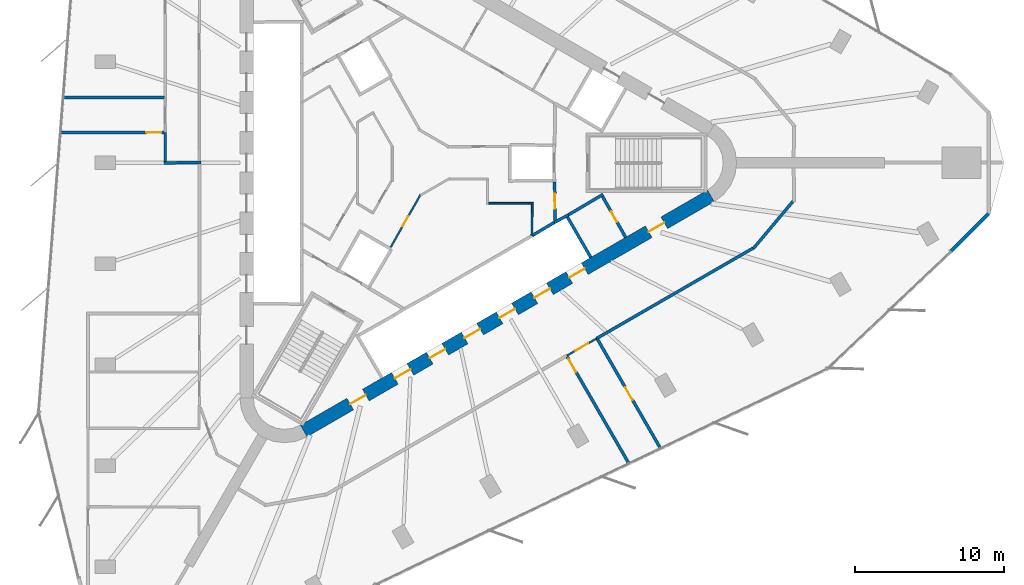
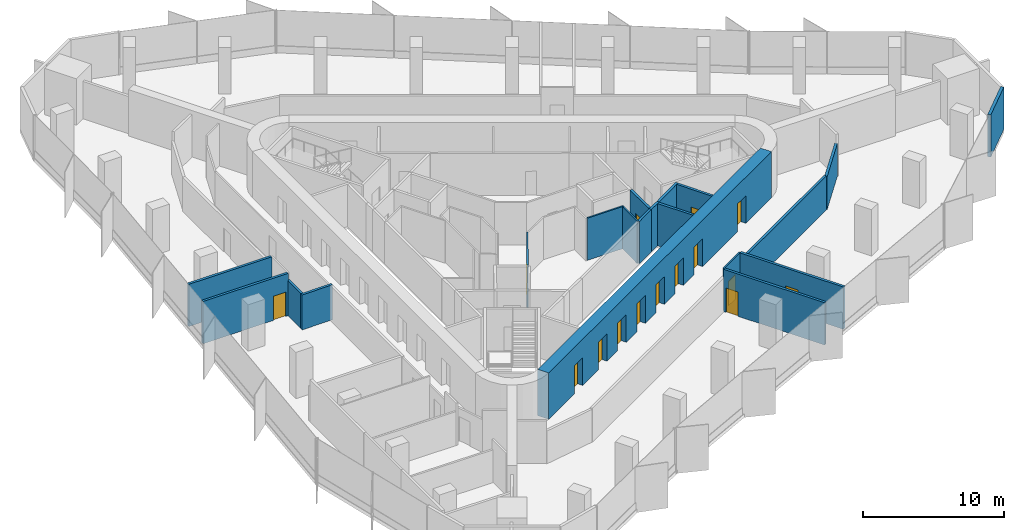
# One storey, part 9 of 13: 20 walls, 15 doors, 15 openings.
"""IFC4 building model written with IfcOpenShell, lengths in metres."""

import ifcopenshell
import ifcopenshell.guid

model = None  # the IFC model being written
_history = None  # IfcOwnerHistory: only IFC2X3 demands one
_inside = {}  # id of a spatial element -> (the spatial element, [elements in it])
_under = {}  # id of a project, library or spatial element -> (it, [spatial elements below it])
_declared = {}  # id of a project -> (the project, [libraries it declares])
_typed = {}  # id of a type object -> (the type object, [elements of that type])
_made_of = {}  # id of a material, layer set ... -> (it, [elements and type objects made of it])


def new_model(schema):
    """Start an empty IFC model of exactly this schema.

    Asked for "IFC4X3", IfcOpenShell would pick the latest addendum, in which some entities
    have other attributes; the version numbers below select the first issue.
    IFC2X3 requires an IfcOwnerHistory on every rooted entity: one is made here for all.
    """
    global model, _history
    if schema == "IFC4X3":
        model = ifcopenshell.file(schema_version=(4, 3, 0, 0))
    else:
        model = ifcopenshell.file(schema=schema)
    _inside.clear()
    _under.clear()
    _declared.clear()
    _typed.clear()
    _made_of.clear()
    _history = None
    if model.schema == "IFC2X3":
        org = make("IfcOrganization", Name="unknown")
        user = make(
            "IfcPersonAndOrganization",
            ThePerson=make("IfcPerson", FamilyName="unknown"),
            TheOrganization=org,
        )
        app = make(
            "IfcApplication",
            ApplicationDeveloper=org,
            Version="unknown",
            ApplicationFullName="unknown",
            ApplicationIdentifier="unknown",
        )
        _history = make(
            "IfcOwnerHistory",
            OwningUser=user,
            OwningApplication=app,
            ChangeAction="ADDED",
            CreationDate=0,
        )
    return model


def make(cls, **values):
    """One entity of the class cls with the attributes given. An attribute that is None is left unset."""
    return model.create_entity(
        cls, **{name: value for name, value in values.items() if value is not None}
    )


def rooted(cls, **values):
    """An entity with a GlobalId (a new one), such as an element, a storey or a relation."""
    return make(cls, GlobalId=ifcopenshell.guid.new(), OwnerHistory=_history, **values)


def si_unit(unit_type, name, prefix=None):
    """IfcSIUnit, for example si_unit("LENGTHUNIT", "METRE", prefix="MILLI")."""
    return make("IfcSIUnit", UnitType=unit_type, Prefix=prefix, Name=name)


def assignment(units):
    """IfcUnitAssignment: the units of a project."""
    return None if units is None else make("IfcUnitAssignment", Units=units)


def point(xyz):
    """IfcCartesianPoint."""
    return None if xyz is None else make("IfcCartesianPoint", Coordinates=xyz)


def direction(xyz):
    """IfcDirection."""
    return None if xyz is None else make("IfcDirection", DirectionRatios=xyz)


def frame(location, z_axis=None, x_axis=None):
    """IfcAxis2Placement3D, a coordinate frame: its origin and axes. An axis left out is left unset."""
    return make(
        "IfcAxis2Placement3D",
        Location=point(location),
        Axis=direction(z_axis),
        RefDirection=direction(x_axis),
    )


def frame_2d(location, x_axis=None):
    """IfcAxis2Placement2D, a coordinate frame in the plane: its origin and x axis."""
    return make(
        "IfcAxis2Placement2D", Location=point(location), RefDirection=direction(x_axis)
    )


def origin():
    """The frame at (0, 0, 0) with its axes left unset."""
    return frame((0.0, 0.0, 0.0))


def place(relative_to, where):
    """IfcLocalPlacement: puts the frame where relative to a parent placement (None: the world)."""
    return make(
        "IfcLocalPlacement", PlacementRelTo=relative_to, RelativePlacement=where
    )


def context(
    kind, dimensions, precision=None, world=None, true_north=None, identifier=None
):
    """IfcGeometricRepresentationContext, for example the 3D "Model" context."""
    return make(
        "IfcGeometricRepresentationContext",
        ContextIdentifier=identifier,
        ContextType=kind,
        CoordinateSpaceDimension=dimensions,
        Precision=precision,
        WorldCoordinateSystem=world,
        TrueNorth=true_north,
    )


def subcontext(parent, identifier, kind, view, scale=None):
    """IfcGeometricRepresentationSubContext, for example "Body" below "Model"."""
    return make(
        "IfcGeometricRepresentationSubContext",
        ContextIdentifier=identifier,
        ContextType=kind,
        ParentContext=parent,
        TargetScale=scale,
        TargetView=view,
    )


def project(units=None, contexts=None):
    """IfcProject with its units and contexts."""
    return rooted(
        "IfcProject",
        Name="project",
        RepresentationContexts=contexts,
        UnitsInContext=assignment(units),
    )


def spatial(cls, under=None, at=None, **own):
    """A site, building, storey or space (cls), placed at a placement, below another one or the project."""
    s = rooted(cls, ObjectPlacement=at, **own)
    if under is not None:
        _under.setdefault(under.id(), (under, []))[1].append(s)
    return s


def profile(cls, at=None, kind="AREA", **sizes):
    """A parametric profile (cls). Its sizes go by their IFC names, for example OverallWidth=200.0."""
    return make(cls, ProfileType=kind, Position=at, **sizes)


def rectangle(**sizes):
    """IfcRectangleProfileDef."""
    return profile("IfcRectangleProfileDef", **sizes)


def extrude(swept, where, along, depth):
    """IfcExtrudedAreaSolid: the profile swept, set in the frame where, extruded along a direction by depth."""
    return make(
        "IfcExtrudedAreaSolid",
        SweptArea=swept,
        Position=where,
        ExtrudedDirection=direction(along),
        Depth=depth,
    )


def shape(context_of_items, identifier, shape_type, items):
    """IfcShapeRepresentation: the items that make up one representation, for example the "Body"."""
    return make(
        "IfcShapeRepresentation",
        ContextOfItems=context_of_items,
        RepresentationIdentifier=identifier,
        RepresentationType=shape_type,
        Items=items,
    )


def material(Name=None, Category=None):
    """IfcMaterial."""
    return make("IfcMaterial", Name=Name, Category=Category)


def layer(
    of_material, thickness, ventilated=None, Name=None, Category=None, Priority=None
):
    """IfcMaterialLayer: one layer of a wall or slab, of a material (None: an air gap)."""
    return make(
        "IfcMaterialLayer",
        Material=of_material,
        LayerThickness=thickness,
        IsVentilated=ventilated,
        Name=Name,
        Category=Category,
        Priority=Priority,
    )


def layer_set(layers, Name=None):
    """IfcMaterialLayerSet."""
    return make("IfcMaterialLayerSet", MaterialLayers=layers, LayerSetName=Name)


def made_of(thing, what):
    """Note that an element or type object is made of a material, layer set ...; save() writes the relation."""
    if what is not None:
        _made_of.setdefault(what.id(), (what, []))[1].append(thing)
    return thing


def type_object(cls, material=None, **own):
    """A type object (cls), such as IfcWallType, which elements share."""
    return made_of(rooted(cls, **own), material)


def element(
    cls,
    number,
    at=None,
    inside=None,
    cuts=None,
    type_object=None,
    material=None,
    context=None,
    identifier="Body",
    shape_type=None,
    held_by="IfcProductDefinitionShape",
    body=None,
    shapes=None,
    **own,
):
    """One element of the class cls, such as IfcWall. Its Tag is "e" and its number.

    at: its placement. inside: the storey or other place that contains it. cuts: it is an
    opening in that element (IfcRelVoidsElement). A single representation is given by context,
    identifier, shape_type and body (its items); several are given by shapes. held_by: the class
    of the entity that holds the representations. save() writes the other relations.
    """
    e = rooted(cls, Tag="e%d" % number, ObjectPlacement=at, **own)
    if body is not None:
        shapes = [shape(context, identifier, shape_type, body)]
    if shapes is not None:
        e.Representation = make(held_by, Representations=shapes)
    if inside is not None:
        _inside.setdefault(inside.id(), (inside, []))[1].append(e)
    if cuts is not None:
        rooted(
            "IfcRelVoidsElement", RelatingBuildingElement=cuts, RelatedOpeningElement=e
        )
    if type_object is not None:
        _typed.setdefault(type_object.id(), (type_object, []))[1].append(e)
    return made_of(e, material)


def fill(opening, filler):
    """IfcRelFillsElement: the door or window that sits in an opening."""
    return rooted(
        "IfcRelFillsElement",
        RelatingOpeningElement=opening,
        RelatedBuildingElement=filler,
    )


def aggregate(whole, parts):
    """IfcRelAggregates: a whole, such as a stair, and the parts it consists of."""
    return rooted("IfcRelAggregates", RelatingObject=whole, RelatedObjects=parts)


def save(model, path):
    """Write the relations noted so far, then the file.

    IfcRelAggregates (storeys below a building ...), IfcRelContainedInSpatialStructure (elements
    in a storey), IfcRelDefinesByType, IfcRelAssociatesMaterial and IfcRelDeclares: one each for
    every whole, place, type object, material and project.
    """
    for whole, parts in _under.values():
        aggregate(whole, parts)
    for where, things in _inside.values():
        rooted(
            "IfcRelContainedInSpatialStructure",
            RelatedElements=things,
            RelatingStructure=where,
        )
    for kind, things in _typed.values():
        rooted("IfcRelDefinesByType", RelatedObjects=things, RelatingType=kind)
    for what, things in _made_of.values():
        rooted("IfcRelAssociatesMaterial", RelatedObjects=things, RelatingMaterial=what)
    for by, libraries in _declared.values():
        rooted("IfcRelDeclares", RelatingContext=by, RelatedDefinitions=libraries)
    model.write(path)


model = new_model("IFC4")

# Units and contexts
model_context = context("Model", 3, precision=1e-05, world=origin(), true_north=direction((0.0, 1.0)))
body_context = subcontext(model_context, "Body", "Model", "MODEL_VIEW")
ifc_project = project(units=[si_unit("LENGTHUNIT", "METRE"), si_unit("AREAUNIT", "SQUARE_METRE"), si_unit("VOLUMEUNIT", "CUBIC_METRE"), si_unit("PLANEANGLEUNIT", "RADIAN"), si_unit("MASSUNIT", "GRAM", prefix="KILO")], contexts=[model_context])

# Site, building, storey
site_placement = place(None, origin())
site = spatial("IfcSite", under=ifc_project, at=site_placement, CompositionType="ELEMENT")
building_placement = place(site_placement, origin())
building = spatial("IfcBuilding", under=site, at=building_placement, Name="Tanit Gate Tower", CompositionType="ELEMENT")
storey_placement = place(building_placement, frame((0.0, 0.0, 273.199951171875)))
storey = spatial("IfcBuildingStorey", under=building, at=storey_placement, Name="L62", CompositionType="ELEMENT", Elevation=273.199951171875)

# Wall, openings, doors
ifc_material_1 = material(Name="Concrete C50/60", Category="concrete")
ifc_layer_1 = layer(ifc_material_1, 0.89990234375)
ifc_layer_set_1 = layer_set([ifc_layer_1], Name="CORE WALL 900 C50/60")
wall_type_1 = type_object("IfcWallType", Name="CORE WALL 900 C50/60", PredefinedType="SHEAR", material=ifc_layer_set_1)
wall_1_placement = place(storey_placement, frame((-7.824951171875, -17.969970703125, 0.0), z_axis=(0.0, 0.0, 1.0), x_axis=(0.866028369851, 0.499994862586, 0.0)))
wall_1 = element("IfcWall", 1, at=wall_1_placement, inside=storey, type_object=wall_type_1, Name="CORE WALL", PredefinedType="SHEAR", context=body_context, shape_type="SweptSolid", body=[
    extrude(rectangle(XDim=31.523193359375, YDim=0.89990234375, at=frame_2d((15.76171875, 0.0))), origin(), (0.0, 0.0, 1.0), 4.0),
])
opening_1_placement = place(wall_1_placement, frame((7.061767578125, 0.0, 0.0)))
opening_1 = element("IfcOpeningElement", 2, at=opening_1_placement, cuts=wall_1, Name="Opening LDSX1-S17", PredefinedType="OPENING", context=body_context, shape_type="SweptSolid", body=[
    extrude(rectangle(XDim=1.199951171875, YDim=2.39990234375, at=frame_2d((0.60009765625, 1.199951171875))), frame((0.0, 0.4599609375, 0.0), z_axis=(0.0, -1.0, 0.0), x_axis=(1.0, 0.0, 0.0)), (0.0, 0.0, 1.0), 0.919921875),
])
opening_2_placement = place(wall_1_placement, frame((9.76171875, 0.0, 0.0)))
opening_2 = element("IfcOpeningElement", 3, at=opening_2_placement, cuts=wall_1, Name="Opening LDSX2-S17", PredefinedType="OPENING", context=body_context, shape_type="SweptSolid", body=[
    extrude(rectangle(XDim=1.199951171875, YDim=2.39990234375, at=frame_2d((0.60009765625, 1.199951171875))), frame((0.0, 0.4599609375, 0.0), z_axis=(0.0, -1.0, 0.0), x_axis=(1.0, 0.0, 0.0)), (0.0, 0.0, 1.0), 0.919921875),
])
opening_3_placement = place(wall_1_placement, frame((12.461669921875, 0.0, 0.0)))
opening_3 = element("IfcOpeningElement", 4, at=opening_3_placement, cuts=wall_1, Name="Opening LDSX3-S17", PredefinedType="OPENING", context=body_context, shape_type="SweptSolid", body=[
    extrude(rectangle(XDim=1.199951171875, YDim=2.39990234375, at=frame_2d((0.60009765625, 1.199951171875))), frame((0.0, 0.4599609375, 0.0), z_axis=(0.0, -1.0, 0.0), x_axis=(1.0, 0.0, 0.0)), (0.0, 0.0, 1.0), 0.919921875),
])
opening_4_placement = place(wall_1_placement, frame((15.16162109375, 0.0, 0.0)))
opening_4 = element("IfcOpeningElement", 5, at=opening_4_placement, cuts=wall_1, Name="Opening LDSX4-S17", PredefinedType="OPENING", context=body_context, shape_type="SweptSolid", body=[
    extrude(rectangle(XDim=1.199951171875, YDim=2.39990234375, at=frame_2d((0.60009765625, 1.199951171875))), frame((0.0, 0.4599609375, 0.0), z_axis=(0.0, -1.0, 0.0), x_axis=(1.0, 0.0, 0.0)), (0.0, 0.0, 1.0), 0.919921875),
])
opening_5_placement = place(wall_1_placement, frame((17.861572265625, 0.0, 0.0)))
opening_5 = element("IfcOpeningElement", 6, at=opening_5_placement, cuts=wall_1, Name="Opening LDSV1-S17", PredefinedType="OPENING", context=body_context, shape_type="SweptSolid", body=[
    extrude(rectangle(XDim=1.199951171875, YDim=2.39990234375, at=frame_2d((0.60009765625, 1.199951171875))), frame((0.0, 0.4599609375, 0.0), z_axis=(0.0, -1.0, 0.0), x_axis=(1.0, 0.0, 0.0)), (0.0, 0.0, 1.0), 0.919921875),
])
opening_6_placement = place(wall_1_placement, frame((20.561767578125, 0.0, 0.0)))
opening_6 = element("IfcOpeningElement", 7, at=opening_6_placement, cuts=wall_1, Name="Opening LDSV2-S17", PredefinedType="OPENING", context=body_context, shape_type="SweptSolid", body=[
    extrude(rectangle(XDim=1.199951171875, YDim=2.39990234375, at=frame_2d((0.60009765625, 1.199951171875))), frame((0.0, 0.4599609375, 0.0), z_axis=(0.0, -1.0, 0.0), x_axis=(1.0, 0.0, 0.0)), (0.0, 0.0, 1.0), 0.919921875),
])
opening_7_placement = place(wall_1_placement, frame((26.711669921875, 0.0, 0.0)))
opening_7 = element("IfcOpeningElement", 8, at=opening_7_placement, cuts=wall_1, Name="Opening F12-S17-S1", PredefinedType="OPENING", context=body_context, shape_type="SweptSolid", body=[
    extrude(rectangle(XDim=1.199951171875, YDim=2.39990234375, at=frame_2d((0.60009765625, 1.199951171875))), frame((0.0, 0.4599609375, 0.0), z_axis=(0.0, -1.0, 0.0), x_axis=(1.0, 0.0, 0.0)), (0.0, 0.0, 1.0), 0.919921875),
])
opening_8_placement = place(wall_1_placement, frame((3.611572265625, 0.0, 0.0)))
opening_8 = element("IfcOpeningElement", 9, at=opening_8_placement, cuts=wall_1, Name="Opening F12-S17-FL3", PredefinedType="OPENING", context=body_context, shape_type="SweptSolid", body=[
    extrude(rectangle(XDim=1.199951171875, YDim=2.39990234375, at=frame_2d((0.60009765625, 1.199951171875))), frame((0.0, 0.4599609375, 0.0), z_axis=(0.0, -1.0, 0.0), x_axis=(1.0, 0.0, 0.0)), (0.0, 0.0, 1.0), 0.919921875),
])
ifc_material_2 = material(Name="Fire-rated steel door leaf", Category="steel")
door_type_1 = type_object("IfcDoorType", Name="INT-DOOR-FIRE-LOBBY-1200", OperationType="NOTDEFINED", PredefinedType="USERDEFINED", material=ifc_material_2)
door_1_placement = place(opening_7_placement, origin())
door_1 = element("IfcDoor", 10, at=door_1_placement, inside=storey, type_object=door_type_1, Name="Door F12-S17-S1", ObjectType="FIRE DOOR", OperationType="SINGLE_SWING_RIGHT", OverallHeight=2.39990234375, OverallWidth=1.199951171875, PredefinedType="USERDEFINED", context=body_context, shape_type="SweptSolid", body=[
    extrude(rectangle(XDim=1.199951171875, YDim=2.39990234375, at=frame_2d((0.60009765625, 1.199951171875))), frame((0.0, 0.02490234375, 0.0), z_axis=(0.0, -1.0, 0.0), x_axis=(1.0, 0.0, 0.0)), (0.0, 0.0, 1.0), 0.050048828125),
])
fill(opening_7, door_1)
door_2_placement = place(opening_8_placement, origin())
door_2 = element("IfcDoor", 11, at=door_2_placement, inside=storey, type_object=door_type_1, Name="Door F12-S17-FL3", ObjectType="FIRE DOOR", OperationType="SINGLE_SWING_LEFT", OverallHeight=2.39990234375, OverallWidth=1.199951171875, PredefinedType="USERDEFINED", context=body_context, shape_type="SweptSolid", body=[
    extrude(rectangle(XDim=1.199951171875, YDim=2.39990234375, at=frame_2d((0.60009765625, 1.199951171875))), frame((0.0, 0.02490234375, 0.0), z_axis=(0.0, -1.0, 0.0), x_axis=(1.0, 0.0, 0.0)), (0.0, 0.0, 1.0), 0.050048828125),
])
fill(opening_8, door_2)
ifc_material_3 = material(Name="Stainless steel sliding door leaf", Category="steel")
door_type_2 = type_object("IfcDoorType", Name="INT-DOOR-LANDING-1200", OperationType="NOTDEFINED", PredefinedType="USERDEFINED", material=ifc_material_3)
door_3_placement = place(opening_1_placement, origin())
door_3 = element("IfcDoor", 12, at=door_3_placement, inside=storey, type_object=door_type_2, Name="Door LDSX1-S17", ObjectType="LANDING DOOR", OperationType="SLIDING_TO_LEFT", OverallHeight=2.39990234375, OverallWidth=1.199951171875, PredefinedType="USERDEFINED", context=body_context, shape_type="SweptSolid", body=[
    extrude(rectangle(XDim=1.199951171875, YDim=2.39990234375, at=frame_2d((0.60009765625, 1.199951171875))), frame((0.0, 0.02490234375, 0.0), z_axis=(0.0, -1.0, 0.0), x_axis=(1.0, 0.0, 0.0)), (0.0, 0.0, 1.0), 0.050048828125),
])
fill(opening_1, door_3)
door_4_placement = place(opening_2_placement, origin())
door_4 = element("IfcDoor", 13, at=door_4_placement, inside=storey, type_object=door_type_2, Name="Door LDSX2-S17", ObjectType="LANDING DOOR", OperationType="SLIDING_TO_LEFT", OverallHeight=2.39990234375, OverallWidth=1.199951171875, PredefinedType="USERDEFINED", context=body_context, shape_type="SweptSolid", body=[
    extrude(rectangle(XDim=1.199951171875, YDim=2.39990234375, at=frame_2d((0.60009765625, 1.199951171875))), frame((0.0, 0.02490234375, 0.0), z_axis=(0.0, -1.0, 0.0), x_axis=(1.0, 0.0, 0.0)), (0.0, 0.0, 1.0), 0.050048828125),
])
fill(opening_2, door_4)
door_5_placement = place(opening_3_placement, origin())
door_5 = element("IfcDoor", 14, at=door_5_placement, inside=storey, type_object=door_type_2, Name="Door LDSX3-S17", ObjectType="LANDING DOOR", OperationType="SLIDING_TO_LEFT", OverallHeight=2.39990234375, OverallWidth=1.199951171875, PredefinedType="USERDEFINED", context=body_context, shape_type="SweptSolid", body=[
    extrude(rectangle(XDim=1.199951171875, YDim=2.39990234375, at=frame_2d((0.60009765625, 1.199951171875))), frame((0.0, 0.02490234375, 0.0), z_axis=(0.0, -1.0, 0.0), x_axis=(1.0, 0.0, 0.0)), (0.0, 0.0, 1.0), 0.050048828125),
])
fill(opening_3, door_5)
door_6_placement = place(opening_4_placement, origin())
door_6 = element("IfcDoor", 15, at=door_6_placement, inside=storey, type_object=door_type_2, Name="Door LDSX4-S17", ObjectType="LANDING DOOR", OperationType="SLIDING_TO_LEFT", OverallHeight=2.39990234375, OverallWidth=1.199951171875, PredefinedType="USERDEFINED", context=body_context, shape_type="SweptSolid", body=[
    extrude(rectangle(XDim=1.199951171875, YDim=2.39990234375, at=frame_2d((0.60009765625, 1.199951171875))), frame((0.0, 0.02490234375, 0.0), z_axis=(0.0, -1.0, 0.0), x_axis=(1.0, 0.0, 0.0)), (0.0, 0.0, 1.0), 0.050048828125),
])
fill(opening_4, door_6)
door_7_placement = place(opening_5_placement, origin())
door_7 = element("IfcDoor", 16, at=door_7_placement, inside=storey, type_object=door_type_2, Name="Door LDSV1-S17", ObjectType="LANDING DOOR", OperationType="SLIDING_TO_LEFT", OverallHeight=2.39990234375, OverallWidth=1.199951171875, PredefinedType="USERDEFINED", context=body_context, shape_type="SweptSolid", body=[
    extrude(rectangle(XDim=1.199951171875, YDim=2.39990234375, at=frame_2d((0.60009765625, 1.199951171875))), frame((0.0, 0.02490234375, 0.0), z_axis=(0.0, -1.0, 0.0), x_axis=(1.0, 0.0, 0.0)), (0.0, 0.0, 1.0), 0.050048828125),
])
fill(opening_5, door_7)
door_8_placement = place(opening_6_placement, origin())
door_8 = element("IfcDoor", 17, at=door_8_placement, inside=storey, type_object=door_type_2, Name="Door LDSV2-S17", ObjectType="LANDING DOOR", OperationType="SLIDING_TO_LEFT", OverallHeight=2.39990234375, OverallWidth=1.199951171875, PredefinedType="USERDEFINED", context=body_context, shape_type="SweptSolid", body=[
    extrude(rectangle(XDim=1.199951171875, YDim=2.39990234375, at=frame_2d((0.60009765625, 1.199951171875))), frame((0.0, 0.02490234375, 0.0), z_axis=(0.0, -1.0, 0.0), x_axis=(1.0, 0.0, 0.0)), (0.0, 0.0, 1.0), 0.050048828125),
])
fill(opening_6, door_8)

# Walls
ifc_material_4 = material(Name="Concrete C30/37 with bronze anodised aluminium cladding", Category="concrete")
ifc_layer_2 = layer(ifc_material_4, 0.239990234375)
ifc_layer_set_2 = layer_set([ifc_layer_2], Name="Facade wall bronze clad 240")
wall_type_2 = type_object("IfcWallType", Name="Facade wall bronze clad 240", PredefinedType="SOLIDWALL", material=ifc_layer_set_2)
wall_2_placement = place(storey_placement, frame((35.5751953125, -5.9091796875, 0.0), z_axis=(0.0, 0.0, 1.0), x_axis=(0.707106781187, 0.707106781187, 0.0)))
element("IfcWall", 18, at=wall_2_placement, inside=storey, type_object=wall_type_2, Name="Bronze-clad facade wall L62 E.arc1", PredefinedType="SOLIDWALL", context=body_context, shape_type="SweptSolid", body=[
    extrude(rectangle(XDim=3.5498046875, YDim=0.239990234375, at=frame_2d((1.77490234375, 0.0))), origin(), (0.0, 0.0, 1.0), 3.650146484375),
])
ifc_material_5 = material(Name="Fire-rated gypsum board partition")
ifc_layer_3 = layer(ifc_material_5, 0.199951171875)
ifc_layer_set_3 = layer_set([ifc_layer_3], Name="INT-WALL-COMPARTMENT")
wall_type_3 = type_object("IfcWallType", Name="INT-WALL-COMPARTMENT", PredefinedType="PARTITIONING", material=ifc_layer_set_3)
wall_3_placement = place(storey_placement, frame((12.244873046875, -2.10888671875, 0.0), z_axis=(0.0, 0.0, 1.0), x_axis=(-0.860414880418, -0.509594185166, 0.0)))
element("IfcWall", 19, at=wall_3_placement, inside=storey, type_object=wall_type_3, Name="Wall Compartment W057", PredefinedType="PARTITIONING", context=body_context, shape_type="SweptSolid", body=[
    extrude(rectangle(XDim=2.7001953125, YDim=0.199951171875, at=frame_2d((1.35009765625, 0.0))), origin(), (0.0, 0.0, 1.0), 3.650146484375),
])

# Wall, opening, door
wall_4_placement = place(storey_placement, frame((13.758056640625, -4.989501953125, 0.0), z_axis=(0.0, 0.0, 1.0), x_axis=(-0.491993409184, 0.87059892334, 0.0)))
wall_4 = element("IfcWall", 20, at=wall_4_placement, inside=storey, type_object=wall_type_3, Name="Wall Compartment W058", PredefinedType="PARTITIONING", context=body_context, shape_type="SweptSolid", body=[
    extrude(rectangle(XDim=3.150146484375, YDim=0.199951171875, at=frame_2d((1.5751953125, 0.0))), origin(), (0.0, 0.0, 1.0), 3.650146484375),
])
opening_9_placement = place(wall_4_placement, frame((1.175048828125, 0.0, 0.0)))
opening_9 = element("IfcOpeningElement", 21, at=opening_9_placement, cuts=wall_4, Name="Opening R08-S17-17", PredefinedType="OPENING", context=body_context, shape_type="SweptSolid", body=[
    extrude(rectangle(XDim=0.800048828125, YDim=2.10009765625, at=frame_2d((0.39990234375, 1.050048828125))), frame((0.0, 0.10986328125, 0.0), z_axis=(0.0, -1.0, 0.0), x_axis=(1.0, 0.0, 0.0)), (0.0, 0.0, 1.0), 0.219970703125),
])
ifc_material_6 = material(Name="Timber door leaf", Category="wood")
door_type_3 = type_object("IfcDoorType", Name="INT-DOOR-RISER-800", OperationType="NOTDEFINED", PredefinedType="USERDEFINED", material=ifc_material_6)
door_9_placement = place(opening_9_placement, origin())
door_9 = element("IfcDoor", 22, at=door_9_placement, inside=storey, type_object=door_type_3, Name="Door R08-S17-17", ObjectType="FIRE DOOR", OperationType="SINGLE_SWING_LEFT", OverallHeight=2.10009765625, OverallWidth=0.800048828125, PredefinedType="USERDEFINED", context=body_context, shape_type="SweptSolid", body=[
    extrude(rectangle(XDim=0.800048828125, YDim=2.10009765625, at=frame_2d((0.39990234375, 1.050048828125))), frame((0.0, 0.02490234375, 0.0), z_axis=(0.0, -1.0, 0.0), x_axis=(1.0, 0.0, 0.0)), (0.0, 0.0, 1.0), 0.050048828125),
])
fill(opening_9, door_9)

wall_5_placement = place(storey_placement, frame((9.02880859375, -3.850830078125, 0.0), z_axis=(0.0, 0.0, 1.0), x_axis=(-0.010783593937, 0.99994185536, 0.0)))
wall_5 = element("IfcWall", 23, at=wall_5_placement, inside=storey, type_object=wall_type_3, Name="Wall Compartment W060", PredefinedType="PARTITIONING", context=body_context, shape_type="SweptSolid", body=[
    extrude(rectangle(XDim=2.5810546875, YDim=0.199951171875, at=frame_2d((1.29052734375, 0.0))), origin(), (0.0, 0.0, 1.0), 3.650146484375),
])
opening_10_placement = place(wall_5_placement, frame((0.79052734375, 0.0, 0.0)))
opening_10 = element("IfcOpeningElement", 24, at=opening_10_placement, cuts=wall_5, Name="Opening F10-S17-02", PredefinedType="OPENING", context=body_context, shape_type="SweptSolid", body=[
    extrude(rectangle(XDim=1.0, YDim=2.10009765625, at=frame_2d((0.5, 1.050048828125))), frame((0.0, 0.10986328125, 0.0), z_axis=(0.0, -1.0, 0.0), x_axis=(1.0, 0.0, 0.0)), (0.0, 0.0, 1.0), 0.219970703125),
])
ifc_material_7 = material(Name="Fire-rated steel door leaf", Category="steel")
door_type_4 = type_object("IfcDoorType", Name="INT-DOOR-FIRE-1000", OperationType="NOTDEFINED", PredefinedType="USERDEFINED", material=ifc_material_7)
door_10_placement = place(opening_10_placement, origin())
door_10 = element("IfcDoor", 25, at=door_10_placement, inside=storey, type_object=door_type_4, Name="Door F10-S17-02", ObjectType="FIRE DOOR", OperationType="SINGLE_SWING_RIGHT", OverallHeight=2.10009765625, OverallWidth=1.0, PredefinedType="USERDEFINED", context=body_context, shape_type="SweptSolid", body=[
    extrude(rectangle(XDim=1.0, YDim=2.10009765625, at=frame_2d((0.5, 1.050048828125))), frame((0.0, 0.02490234375, 0.0), z_axis=(0.0, -1.0, 0.0), x_axis=(1.0, 0.0, 0.0)), (0.0, 0.0, 1.0), 0.050048828125),
])
fill(opening_10, door_10)

# Walls
wall_6_placement = place(storey_placement, frame((-17.199951171875, -0.001220703125, 0.0), z_axis=(0.0, 0.0, 1.0), x_axis=(0.999915662945, 0.012987185857, 0.0)))
element("IfcWall", 26, at=wall_6_placement, inside=storey, type_object=wall_type_3, Name="Wall Compartment W088", PredefinedType="PARTITIONING", context=body_context, shape_type="SweptSolid", body=[
    extrude(rectangle(XDim=2.500244140625, YDim=0.199951171875, at=frame_2d((1.25, 0.0))), origin(), (0.0, 0.0, 1.0), 3.02001953125),
])
wall_7_placement = place(storey_placement, frame((-17.10009765625, 2.050048828125, 0.0), z_axis=(0.0, 0.0, 1.0), x_axis=(0.0, -1.0, 0.0)))
element("IfcWall", 27, at=wall_7_placement, inside=storey, type_object=wall_type_3, Name="Wall Compartment W089", PredefinedType="PARTITIONING", context=body_context, shape_type="SweptSolid", body=[
    extrude(rectangle(XDim=1.949951171875, YDim=0.199951171875, at=frame_2d((0.97509765625, 0.0))), origin(), (0.0, 0.0, 1.0), 3.02001953125),
])
wall_8_placement = place(storey_placement, frame((22.315185546875, -5.746337890625, 0.0), z_axis=(0.0, 0.0, 1.0), x_axis=(0.642828004621, 0.76601054593, 0.0)))
element("IfcWall", 28, at=wall_8_placement, inside=storey, type_object=wall_type_3, Name="Wall Compartment W107", PredefinedType="PARTITIONING", context=body_context, shape_type="SweptSolid", body=[
    extrude(rectangle(XDim=4.19970703125, YDim=0.199951171875, at=frame_2d((2.099853515625, 0.0))), origin(), (0.0, 0.0, 1.0), 2.830078125),
])
wall_9_placement = place(storey_placement, frame((11.817138671875, -11.76806640625, 0.0), z_axis=(0.0, 0.0, 1.0), x_axis=(0.866029971876, 0.49999208775, 0.0)))
element("IfcWall", 29, at=wall_9_placement, inside=storey, type_object=wall_type_3, Name="Wall Compartment W108", PredefinedType="PARTITIONING", context=body_context, shape_type="SweptSolid", body=[
    extrude(rectangle(XDim=12.096435546875, YDim=0.199951171875, at=frame_2d((6.04833984375, 0.0))), origin(), (0.0, 0.0, 1.0), 2.929931640625),
])

# Wall, opening, door
wall_10_placement = place(storey_placement, frame((-24.117919921875, 2.030029296875, 0.0), z_axis=(0.0, 0.0, 1.0), x_axis=(1.0, 0.0, 0.0)))
wall_10 = element("IfcWall", 30, at=wall_10_placement, inside=storey, type_object=wall_type_3, Name="Wall Compartment W112", PredefinedType="PARTITIONING", context=body_context, shape_type="SweptSolid", body=[
    extrude(rectangle(XDim=6.9580078125, YDim=0.199951171875, at=frame_2d((3.47900390625, 0.0))), origin(), (0.0, 0.0, 1.0), 3.650146484375),
])
opening_11_placement = place(wall_10_placement, frame((5.7578125, 0.0, 0.0)))
opening_11 = element("IfcOpeningElement", 31, at=opening_11_placement, cuts=wall_10, Name="Opening F10-S17-27", PredefinedType="OPENING", context=body_context, shape_type="SweptSolid", body=[
    extrude(rectangle(XDim=1.0, YDim=2.10009765625, at=frame_2d((0.5, 1.050048828125))), frame((0.0, 0.10986328125, 0.0), z_axis=(0.0, -1.0, 0.0), x_axis=(1.0, 0.0, 0.0)), (0.0, 0.0, 1.0), 0.219970703125),
])
door_11_placement = place(opening_11_placement, origin())
door_11 = element("IfcDoor", 32, at=door_11_placement, inside=storey, type_object=door_type_4, Name="Door F10-S17-27", ObjectType="FIRE DOOR", OperationType="SINGLE_SWING_LEFT", OverallHeight=2.10009765625, OverallWidth=1.0, PredefinedType="USERDEFINED", context=body_context, shape_type="SweptSolid", body=[
    extrude(rectangle(XDim=1.0, YDim=2.10009765625, at=frame_2d((0.5, 1.050048828125))), frame((0.0, 0.02490234375, 0.0), z_axis=(0.0, -1.0, 0.0), x_axis=(1.0, 0.0, 0.0)), (0.0, 0.0, 1.0), 0.050048828125),
])
fill(opening_11, door_11)

# Wall
wall_11_placement = place(storey_placement, frame((-17.159912109375, 4.3701171875, 0.0), z_axis=(0.0, 0.0, 1.0), x_axis=(-1.0, 0.0, 0.0)))
element("IfcWall", 33, at=wall_11_placement, inside=storey, type_object=wall_type_3, Name="Wall Compartment W113", PredefinedType="PARTITIONING", context=body_context, shape_type="SweptSolid", body=[
    extrude(rectangle(XDim=6.775634765625, YDim=0.199951171875, at=frame_2d((3.3876953125, 0.0))), origin(), (0.0, 0.0, 1.0), 3.650146484375),
])

# Wall, opening, door
wall_12_placement = place(storey_placement, frame((16.0927734375, -19.133544921875, 0.0), z_axis=(0.0, 0.0, 1.0), x_axis=(-0.500004849665, 0.866022603811, 0.0)))
wall_12 = element("IfcWall", 34, at=wall_12_placement, inside=storey, type_object=wall_type_3, Name="Wall Compartment W128", PredefinedType="PARTITIONING", context=body_context, shape_type="SweptSolid", body=[
    extrude(rectangle(XDim=8.45654296875, YDim=0.199951171875, at=frame_2d((4.228271484375, 0.0))), origin(), (0.0, 0.0, 1.0), 3.650146484375),
])
opening_12_placement = place(wall_12_placement, frame((3.728271484375, 0.0, 0.0)))
opening_12 = element("IfcOpeningElement", 35, at=opening_12_placement, cuts=wall_12, Name="Opening F10-S17-31", PredefinedType="OPENING", context=body_context, shape_type="SweptSolid", body=[
    extrude(rectangle(XDim=1.0, YDim=2.10009765625, at=frame_2d((0.5, 1.050048828125))), frame((0.0, 0.10986328125, 0.0), z_axis=(0.0, -1.0, 0.0), x_axis=(1.0, 0.0, 0.0)), (0.0, 0.0, 1.0), 0.219970703125),
])
door_12_placement = place(opening_12_placement, origin())
door_12 = element("IfcDoor", 36, at=door_12_placement, inside=storey, type_object=door_type_4, Name="Door F10-S17-31", ObjectType="FIRE DOOR", OperationType="SINGLE_SWING_LEFT", OverallHeight=2.10009765625, OverallWidth=1.0, PredefinedType="USERDEFINED", context=body_context, shape_type="SweptSolid", body=[
    extrude(rectangle(XDim=1.0, YDim=2.10009765625, at=frame_2d((0.5, 1.050048828125))), frame((0.0, 0.02490234375, 0.0), z_axis=(0.0, -1.0, 0.0), x_axis=(1.0, 0.0, 0.0)), (0.0, 0.0, 1.0), 0.050048828125),
])
fill(opening_12, door_12)

wall_13_placement = place(storey_placement, frame((9.838134765625, -12.97998046875, 0.0), z_axis=(0.0, 0.0, 1.0), x_axis=(0.499982124662, -0.866035723869, 0.0)))
wall_13 = element("IfcWall", 37, at=wall_13_placement, inside=storey, type_object=wall_type_3, Name="Wall Compartment W129", PredefinedType="PARTITIONING", context=body_context, shape_type="SweptSolid", body=[
    extrude(rectangle(XDim=8.274169921875, YDim=0.199951171875, at=frame_2d((4.13720703125, 0.0))), origin(), (0.0, 0.0, 1.0), 3.650146484375),
])
opening_13_placement = place(wall_13_placement, frame((0.199951171875, 0.0, 0.0)))
opening_13 = element("IfcOpeningElement", 38, at=opening_13_placement, cuts=wall_13, Name="Opening F10-S17-32", PredefinedType="OPENING", context=body_context, shape_type="SweptSolid", body=[
    extrude(rectangle(XDim=1.0, YDim=2.10009765625, at=frame_2d((0.5, 1.050048828125))), frame((0.0, 0.10986328125, 0.0), z_axis=(0.0, -1.0, 0.0), x_axis=(1.0, 0.0, 0.0)), (0.0, 0.0, 1.0), 0.219970703125),
])
door_13_placement = place(opening_13_placement, origin())
door_13 = element("IfcDoor", 39, at=door_13_placement, inside=storey, type_object=door_type_4, Name="Door F10-S17-32", ObjectType="FIRE DOOR", OperationType="SINGLE_SWING_RIGHT", OverallHeight=2.10009765625, OverallWidth=1.0, PredefinedType="USERDEFINED", context=body_context, shape_type="SweptSolid", body=[
    extrude(rectangle(XDim=1.0, YDim=2.10009765625, at=frame_2d((0.5, 1.050048828125))), frame((0.0, 0.02490234375, 0.0), z_axis=(0.0, -1.0, 0.0), x_axis=(1.0, 0.0, 0.0)), (0.0, 0.0, 1.0), 0.050048828125),
])
fill(opening_13, door_13)

ifc_material_8 = material(Name="Gypsum board partition")
ifc_layer_4 = layer(ifc_material_8, 0.1201171875)
ifc_layer_set_4 = layer_set([ifc_layer_4], Name="INT-WALL-PARTITION")
wall_type_4 = type_object("IfcWallType", Name="INT-WALL-PARTITION", PredefinedType="PARTITIONING", material=ifc_layer_set_4)
wall_14_placement = place(storey_placement, frame((0.02880859375, -2.0986328125, 0.0), z_axis=(0.0, 0.0, 1.0), x_axis=(-0.49376265119, -0.869596713592, 0.0)))
wall_14 = element("IfcWall", 40, at=wall_14_placement, inside=storey, type_object=wall_type_4, Name="Wall Partition W068", PredefinedType="PARTITIONING", context=body_context, shape_type="SweptSolid", body=[
    extrude(rectangle(XDim=4.096923828125, YDim=0.1201171875, at=frame_2d((2.04833984375, 0.0))), origin(), (0.0, 0.0, 1.0), 3.650146484375),
])
opening_14_placement = place(wall_14_placement, frame((1.69970703125, 0.0, 0.0)))
opening_14 = element("IfcOpeningElement", 41, at=opening_14_placement, cuts=wall_14, Name="Opening R08-S17-11", PredefinedType="OPENING", context=body_context, shape_type="SweptSolid", body=[
    extrude(rectangle(XDim=0.800048828125, YDim=2.10009765625, at=frame_2d((0.39990234375, 1.050048828125))), frame((0.0, 0.070068359375, 0.0), z_axis=(0.0, -1.0, 0.0), x_axis=(1.0, 0.0, 0.0)), (0.0, 0.0, 1.0), 0.14013671875),
])
door_14_placement = place(opening_14_placement, origin())
door_14 = element("IfcDoor", 42, at=door_14_placement, inside=storey, type_object=door_type_3, Name="Door R08-S17-11", ObjectType="FIRE DOOR", OperationType="SINGLE_SWING_LEFT", OverallHeight=2.10009765625, OverallWidth=0.800048828125, PredefinedType="USERDEFINED", context=body_context, shape_type="SweptSolid", body=[
    extrude(rectangle(XDim=0.800048828125, YDim=2.10009765625, at=frame_2d((0.39990234375, 1.050048828125))), frame((0.0, 0.02490234375, 0.0), z_axis=(0.0, -1.0, 0.0), x_axis=(1.0, 0.0, 0.0)), (0.0, 0.0, 1.0), 0.050048828125),
])
fill(opening_14, door_14)

# Walls
wall_15_placement = place(storey_placement, frame((7.56005859375, -2.699951171875, 0.0), z_axis=(0.0, 0.0, 1.0), x_axis=(-1.0, 0.0, 0.0)))
element("IfcWall", 43, at=wall_15_placement, inside=storey, type_object=wall_type_4, Name="Wall Partition W072", PredefinedType="PARTITIONING", context=body_context, shape_type="SweptSolid", body=[
    extrude(rectangle(XDim=3.0, YDim=0.1201171875, at=frame_2d((1.5, 0.0))), origin(), (0.0, 0.0, 1.0), 3.650146484375),
])
wall_16_placement = place(storey_placement, frame((7.474609375, -4.864501953125, 0.0), z_axis=(0.0, 0.0, 1.0), x_axis=(0.011716133148, 0.999931363757, 0.0)))
element("IfcWall", 44, at=wall_16_placement, inside=storey, type_object=wall_type_4, Name="Wall Partition W073", PredefinedType="PARTITIONING", context=body_context, shape_type="SweptSolid", body=[
    extrude(rectangle(XDim=2.104736328125, YDim=0.1201171875, at=frame_2d((1.05224609375, 0.0))), origin(), (0.0, 0.0, 1.0), 3.650146484375),
])

# Wall, opening, door
wall_17_placement = place(storey_placement, frame((9.825439453125, -12.91796875, 0.0), z_axis=(0.0, 0.0, 1.0), x_axis=(0.86602648383, 0.499998129301, 0.0)))
wall_17 = element("IfcWall", 45, at=wall_17_placement, inside=storey, type_object=wall_type_4, Name="Wall Partition W105", PredefinedType="PARTITIONING", context=body_context, shape_type="SweptSolid", body=[
    extrude(rectangle(XDim=2.2998046875, YDim=0.1201171875, at=frame_2d((1.14990234375, 0.0))), origin(), (0.0, 0.0, 1.0), 3.650146484375),
])
opening_15_placement = place(wall_17_placement, frame((0.64990234375, 0.0, 0.0)))
opening_15 = element("IfcOpeningElement", 46, at=opening_15_placement, cuts=wall_17, Name="Opening D10-S17-22", PredefinedType="OPENING", context=body_context, shape_type="SweptSolid", body=[
    extrude(rectangle(XDim=1.0, YDim=2.10009765625, at=frame_2d((0.5, 1.050048828125))), frame((0.0, 0.070068359375, 0.0), z_axis=(0.0, -1.0, 0.0), x_axis=(1.0, 0.0, 0.0)), (0.0, 0.0, 1.0), 0.14013671875),
])
ifc_material_9 = material(Name="Timber door leaf", Category="wood")
door_type_5 = type_object("IfcDoorType", Name="INT-DOOR-SINGLE-1000", OperationType="NOTDEFINED", PredefinedType="NOTDEFINED", material=ifc_material_9)
door_15_placement = place(opening_15_placement, origin())
door_15 = element("IfcDoor", 47, at=door_15_placement, inside=storey, type_object=door_type_5, Name="Door D10-S17-22", OperationType="SINGLE_SWING_RIGHT", OverallHeight=2.10009765625, OverallWidth=1.0, PredefinedType="NOTDEFINED", context=body_context, shape_type="SweptSolid", body=[
    extrude(rectangle(XDim=1.0, YDim=2.10009765625, at=frame_2d((0.5, 1.050048828125))), frame((0.0, 0.02490234375, 0.0), z_axis=(0.0, -1.0, 0.0), x_axis=(1.0, 0.0, 0.0)), (0.0, 0.0, 1.0), 0.050048828125),
])
fill(opening_15, door_15)

# Walls
ifc_material_10 = material(Name="Gypsum shaft wall system")
ifc_layer_5 = layer(ifc_material_10, 0.199951171875)
ifc_layer_set_5 = layer_set([ifc_layer_5], Name="INT-WALL-SHAFT")
wall_type_5 = type_object("IfcWallType", Name="INT-WALL-SHAFT", PredefinedType="PLUMBINGWALL", material=ifc_layer_set_5)
wall_18_placement = place(storey_placement, frame((9.794677734375, -3.52490234375, 0.0), z_axis=(0.0, 0.0, 1.0), x_axis=(0.499984717929, -0.866034226713, 0.0)))
element("IfcWall", 48, at=wall_18_placement, inside=storey, type_object=wall_type_5, Name="Wall Shaft W016", PredefinedType="PLUMBINGWALL", context=body_context, shape_type="SweptSolid", body=[
    extrude(rectangle(XDim=3.25, YDim=0.199951171875, at=frame_2d((1.625, 0.0))), origin(), (0.0, 0.0, 1.0), 3.650146484375),
])
wall_19_placement = place(storey_placement, frame((8.97412109375, -3.998779296875, 0.0), z_axis=(0.0, 0.0, 1.0), x_axis=(0.880907015104, 0.473289373154, 0.0)))
element("IfcWall", 49, at=wall_19_placement, inside=storey, type_object=wall_type_5, Name="Wall Shaft W017", PredefinedType="PLUMBINGWALL", context=body_context, shape_type="SweptSolid", body=[
    extrude(rectangle(XDim=1.078125, YDim=0.199951171875, at=frame_2d((0.5390625, 0.0))), origin(), (0.0, 0.0, 1.0), 3.650146484375),
])
wall_20_placement = place(storey_placement, frame((7.4931640625, -4.87841796875, 0.0), z_axis=(0.0, 0.0, 1.0), x_axis=(0.859981807212, 0.510324691999, 0.0)))
element("IfcWall", 50, at=wall_20_placement, inside=storey, type_object=wall_type_5, Name="Wall Shaft W018", PredefinedType="PLUMBINGWALL", context=body_context, shape_type="SweptSolid", body=[
    extrude(rectangle(XDim=1.8447265625, YDim=0.199951171875, at=frame_2d((0.92236328125, 0.0))), origin(), (0.0, 0.0, 1.0), 3.650146484375),
])

save(model, "model.ifc")
